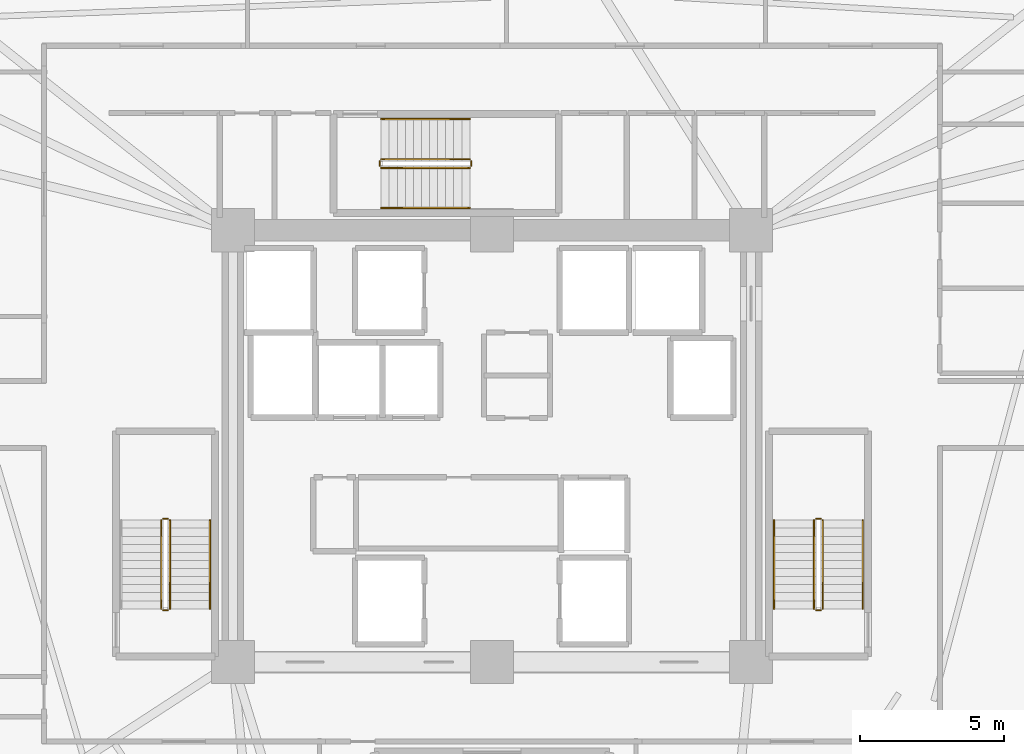
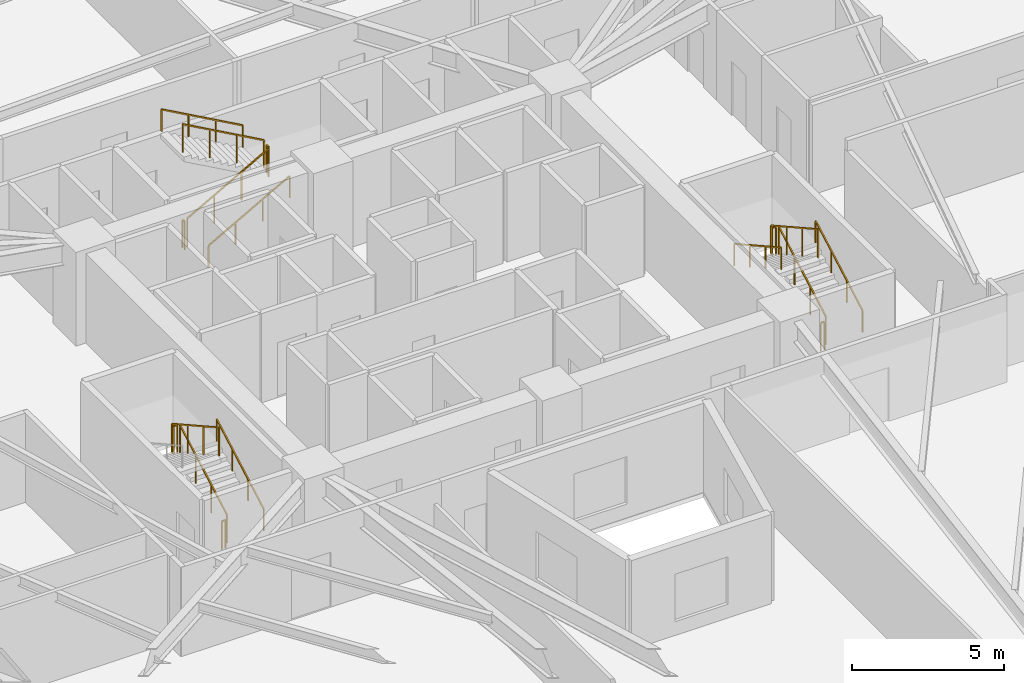
# One storey, part 10 of 10: 17 railings.
"""IFC4 building model written with IfcOpenShell, lengths in metres."""

from ifc_helpers import new_model, si_unit, direction, frame, origin, origin_2d, place, context, subcontext, project, spatial, rectangle, extrude, material, type_object, element, save


model = new_model("IFC4")

# Units and contexts
model_context = context("Model", 3, precision=1e-05, world=origin(), true_north=direction((0.0, 1.0)))
body_context = subcontext(model_context, "Body", "Model", "MODEL_VIEW")
ifc_project = project(units=[si_unit("LENGTHUNIT", "METRE"), si_unit("AREAUNIT", "SQUARE_METRE"), si_unit("VOLUMEUNIT", "CUBIC_METRE"), si_unit("PLANEANGLEUNIT", "RADIAN"), si_unit("MASSUNIT", "GRAM", prefix="KILO")], contexts=[model_context])

# Site, building, storey
site_placement = place(None, origin())
site = spatial("IfcSite", under=ifc_project, at=site_placement, CompositionType="ELEMENT")
building_placement = place(site_placement, origin())
building = spatial("IfcBuilding", under=site, at=building_placement, Name="Liaohun Quay Tower", CompositionType="ELEMENT")
storey_placement = place(building_placement, frame((0.0, 0.0, 124.5)))
storey = spatial("IfcBuildingStorey", under=building, at=storey_placement, Name="L32", CompositionType="ELEMENT", Elevation=124.5)

# Railings
ifc_material_1 = material(Name="Painted tubular steel", Category="steel")
railing_type_1 = type_object("IfcRailingType", Name="RLG-GUARD-STR", PredefinedType="GUARDRAIL", material=ifc_material_1)
railing_1_placement = place(storey_placement, frame((48.81005859375, 48.35009765625, 0.15625)))
element("IfcRailing", 1, at=railing_1_placement, inside=storey, type_object=railing_type_1, Name="L32 ST-1 stair guard 1", PredefinedType="GUARDRAIL", context=body_context, shape_type="SweptSolid", body=[
    extrude(rectangle(XDim=0.048095703125, YDim=0.048095703125, at=origin_2d()), frame((0.0, 0.0, 1.1259765625), z_axis=(0.0, 0.873225103656, 0.487317061414), x_axis=(-1.0, 0.0, 0.0)), (0.0, 0.0, 1.0), 3.52685546875),
    extrude(rectangle(XDim=0.0419921875, YDim=0.0419921875, at=origin_2d()), origin(), (0.0, 0.0, 1.0), 1.101806640625),
    extrude(rectangle(XDim=0.0419921875, YDim=0.0419921875, at=origin_2d()), frame((0.0, 1.026611328125, 0.572998046875)), (0.0, 0.0, 1.0), 1.101806640625),
    extrude(rectangle(XDim=0.0419921875, YDim=0.0419921875, at=origin_2d()), frame((0.0, 2.05322265625, 1.145751953125)), (0.0, 0.0, 1.0), 1.101806640625),
    extrude(rectangle(XDim=0.0419921875, YDim=0.0419921875, at=origin_2d()), frame((0.0, 3.079833984375, 1.71875)), (0.0, 0.0, 1.0), 1.101806640625),
])
railing_2_placement = place(storey_placement, frame((48.72998046875, 51.47998046875, 1.875)))
element("IfcRailing", 2, at=railing_2_placement, inside=storey, type_object=railing_type_1, Name="L32 ST-1 stair guard 2", PredefinedType="GUARDRAIL", context=body_context, shape_type="SweptSolid", body=[
    extrude(rectangle(XDim=0.048095703125, YDim=0.048095703125, at=origin_2d()), frame((0.0, 0.0, 1.1259765625), z_axis=(-1.0, 0.0, 0.0), x_axis=(0.0, -1.0, 0.0)), (0.0, 0.0, 1.0), 0.139892578125),
    extrude(rectangle(XDim=0.0419921875, YDim=0.0419921875, at=origin_2d()), origin(), (0.0, 0.0, 1.0), 1.101806640625),
    extrude(rectangle(XDim=0.0419921875, YDim=0.0419921875, at=origin_2d()), frame((-0.139892578125, 0.0, 0.0)), (0.0, 0.0, 1.0), 1.101806640625),
])
railing_3_placement = place(storey_placement, frame((48.510009765625, 51.429931640625, 2.03125)))
element("IfcRailing", 3, at=railing_3_placement, inside=storey, type_object=railing_type_1, Name="L32 ST-1 stair guard 3", PredefinedType="GUARDRAIL", context=body_context, shape_type="SweptSolid", body=[
    extrude(rectangle(XDim=0.048095703125, YDim=0.048095703125, at=origin_2d()), frame((0.0, 0.0, 1.1259765625), z_axis=(0.0, -0.873225103656, 0.487317061414), x_axis=(1.0, 0.0, 0.0)), (0.0, 0.0, 1.0), 3.52685546875),
    extrude(rectangle(XDim=0.0419921875, YDim=0.0419921875, at=origin_2d()), origin(), (0.0, 0.0, 1.0), 1.101806640625),
    extrude(rectangle(XDim=0.0419921875, YDim=0.0419921875, at=origin_2d()), frame((0.0, -1.026611328125, 0.572998046875)), (0.0, 0.0, 1.0), 1.101806640625),
    extrude(rectangle(XDim=0.0419921875, YDim=0.0419921875, at=origin_2d()), frame((0.0, -2.05322265625, 1.145751953125)), (0.0, 0.0, 1.0), 1.101806640625),
    extrude(rectangle(XDim=0.0419921875, YDim=0.0419921875, at=origin_2d()), frame((0.0, -3.079833984375, 1.71875)), (0.0, 0.0, 1.0), 1.101806640625),
])
railing_4_placement = place(storey_placement, frame((48.72998046875, 48.300048828125, 0.0)))
element("IfcRailing", 4, at=railing_4_placement, inside=storey, type_object=railing_type_1, Name="L32 ST-1 stair guard 4", PredefinedType="GUARDRAIL", context=body_context, shape_type="SweptSolid", body=[
    extrude(rectangle(XDim=0.048095703125, YDim=0.048095703125, at=origin_2d()), frame((0.0, 0.0, 1.1259765625), z_axis=(-1.0, 0.0, 0.0), x_axis=(0.0, -1.0, 0.0)), (0.0, 0.0, 1.0), 0.139892578125),
    extrude(rectangle(XDim=0.0419921875, YDim=0.0419921875, at=origin_2d()), origin(), (0.0, 0.0, 1.0), 1.101806640625),
    extrude(rectangle(XDim=0.0419921875, YDim=0.0419921875, at=origin_2d()), frame((-0.139892578125, 0.0, 0.0)), (0.0, 0.0, 1.0), 1.101806640625),
])
railing_5_placement = place(storey_placement, frame((71.489990234375, 48.35009765625, 0.15625)))
element("IfcRailing", 5, at=railing_5_placement, inside=storey, type_object=railing_type_1, Name="L32 ST-2 stair guard 1", PredefinedType="GUARDRAIL", context=body_context, shape_type="SweptSolid", body=[
    extrude(rectangle(XDim=0.048095703125, YDim=0.048095703125, at=origin_2d()), frame((0.0, 0.0, 1.1259765625), z_axis=(0.0, 0.873225103656, 0.487317061414), x_axis=(-1.0, 0.0, 0.0)), (0.0, 0.0, 1.0), 3.52685546875),
    extrude(rectangle(XDim=0.0419921875, YDim=0.0419921875, at=origin_2d()), origin(), (0.0, 0.0, 1.0), 1.101806640625),
    extrude(rectangle(XDim=0.0419921875, YDim=0.0419921875, at=origin_2d()), frame((0.0, 1.026611328125, 0.572998046875)), (0.0, 0.0, 1.0), 1.101806640625),
    extrude(rectangle(XDim=0.0419921875, YDim=0.0419921875, at=origin_2d()), frame((0.0, 2.05322265625, 1.145751953125)), (0.0, 0.0, 1.0), 1.101806640625),
    extrude(rectangle(XDim=0.0419921875, YDim=0.0419921875, at=origin_2d()), frame((0.0, 3.079833984375, 1.71875)), (0.0, 0.0, 1.0), 1.101806640625),
])
railing_6_placement = place(storey_placement, frame((71.409912109375, 51.47998046875, 1.875)))
element("IfcRailing", 6, at=railing_6_placement, inside=storey, type_object=railing_type_1, Name="L32 ST-2 stair guard 2", PredefinedType="GUARDRAIL", context=body_context, shape_type="SweptSolid", body=[
    extrude(rectangle(XDim=0.048095703125, YDim=0.048095703125, at=origin_2d()), frame((0.0, 0.0, 1.1259765625), z_axis=(-1.0, 0.0, 0.0), x_axis=(0.0, -1.0, 0.0)), (0.0, 0.0, 1.0), 0.139892578125),
    extrude(rectangle(XDim=0.0419921875, YDim=0.0419921875, at=origin_2d()), origin(), (0.0, 0.0, 1.0), 1.101806640625),
    extrude(rectangle(XDim=0.0419921875, YDim=0.0419921875, at=origin_2d()), frame((-0.139892578125, 0.0, 0.0)), (0.0, 0.0, 1.0), 1.101806640625),
])
railing_7_placement = place(storey_placement, frame((71.18994140625, 51.429931640625, 2.03125)))
element("IfcRailing", 7, at=railing_7_placement, inside=storey, type_object=railing_type_1, Name="L32 ST-2 stair guard 3", PredefinedType="GUARDRAIL", context=body_context, shape_type="SweptSolid", body=[
    extrude(rectangle(XDim=0.048095703125, YDim=0.048095703125, at=origin_2d()), frame((0.0, 0.0, 1.1259765625), z_axis=(0.0, -0.873225103656, 0.487317061414), x_axis=(1.0, 0.0, 0.0)), (0.0, 0.0, 1.0), 3.52685546875),
    extrude(rectangle(XDim=0.0419921875, YDim=0.0419921875, at=origin_2d()), origin(), (0.0, 0.0, 1.0), 1.101806640625),
    extrude(rectangle(XDim=0.0419921875, YDim=0.0419921875, at=origin_2d()), frame((0.0, -1.026611328125, 0.572998046875)), (0.0, 0.0, 1.0), 1.101806640625),
    extrude(rectangle(XDim=0.0419921875, YDim=0.0419921875, at=origin_2d()), frame((0.0, -2.05322265625, 1.145751953125)), (0.0, 0.0, 1.0), 1.101806640625),
    extrude(rectangle(XDim=0.0419921875, YDim=0.0419921875, at=origin_2d()), frame((0.0, -3.079833984375, 1.71875)), (0.0, 0.0, 1.0), 1.101806640625),
])
railing_8_placement = place(storey_placement, frame((71.409912109375, 48.300048828125, 0.0)))
element("IfcRailing", 8, at=railing_8_placement, inside=storey, type_object=railing_type_1, Name="L32 ST-2 stair guard 4", PredefinedType="GUARDRAIL", context=body_context, shape_type="SweptSolid", body=[
    extrude(rectangle(XDim=0.048095703125, YDim=0.048095703125, at=origin_2d()), frame((0.0, 0.0, 1.1259765625), z_axis=(-1.0, 0.0, 0.0), x_axis=(0.0, -1.0, 0.0)), (0.0, 0.0, 1.0), 0.139892578125),
    extrude(rectangle(XDim=0.0419921875, YDim=0.0419921875, at=origin_2d()), origin(), (0.0, 0.0, 1.0), 1.101806640625),
    extrude(rectangle(XDim=0.0419921875, YDim=0.0419921875, at=origin_2d()), frame((-0.139892578125, 0.0, 0.0)), (0.0, 0.0, 1.0), 1.101806640625),
])
railing_9_placement = place(storey_placement, frame((56.14990234375, 63.669921875, 0.15625)))
element("IfcRailing", 9, at=railing_9_placement, inside=storey, type_object=railing_type_1, Name="L32 ST-3 stair guard 1", PredefinedType="GUARDRAIL", context=body_context, shape_type="SweptSolid", body=[
    extrude(rectangle(XDim=0.048095703125, YDim=0.048095703125, at=origin_2d()), frame((0.0, 0.0, 1.1259765625), z_axis=(0.873241540666, 0.0, 0.487287606713), x_axis=(0.0, 1.0, 0.0)), (0.0, 0.0, 1.0), 3.527099609375),
    extrude(rectangle(XDim=0.0419921875, YDim=0.0419921875, at=origin_2d()), origin(), (0.0, 0.0, 1.0), 1.101806640625),
    extrude(rectangle(XDim=0.0419921875, YDim=0.0419921875, at=origin_2d()), frame((1.026611328125, 0.0, 0.572998046875)), (0.0, 0.0, 1.0), 1.101806640625),
    extrude(rectangle(XDim=0.0419921875, YDim=0.0419921875, at=origin_2d()), frame((2.053466796875, 0.0, 1.145751953125)), (0.0, 0.0, 1.0), 1.101806640625),
    extrude(rectangle(XDim=0.0419921875, YDim=0.0419921875, at=origin_2d()), frame((3.080078125, 0.0, 1.71875)), (0.0, 0.0, 1.0), 1.101806640625),
])
railing_10_placement = place(storey_placement, frame((59.280029296875, 63.75, 1.875)))
element("IfcRailing", 10, at=railing_10_placement, inside=storey, type_object=railing_type_1, Name="L32 ST-3 stair guard 2", PredefinedType="GUARDRAIL", context=body_context, shape_type="SweptSolid", body=[
    extrude(rectangle(XDim=0.048095703125, YDim=0.048095703125, at=origin_2d()), frame((0.0, 0.0, 1.1259765625), z_axis=(0.0, 1.0, 0.0), x_axis=(-1.0, 0.0, 0.0)), (0.0, 0.0, 1.0), 0.139892578125),
    extrude(rectangle(XDim=0.0419921875, YDim=0.0419921875, at=origin_2d()), origin(), (0.0, 0.0, 1.0), 1.101806640625),
    extrude(rectangle(XDim=0.0419921875, YDim=0.0419921875, at=origin_2d()), frame((0.0, 0.139892578125, 0.0)), (0.0, 0.0, 1.0), 1.101806640625),
])
railing_11_placement = place(storey_placement, frame((59.22998046875, 63.969970703125, 2.03125)))
element("IfcRailing", 11, at=railing_11_placement, inside=storey, type_object=railing_type_1, Name="L32 ST-3 stair guard 3", PredefinedType="GUARDRAIL", context=body_context, shape_type="SweptSolid", body=[
    extrude(rectangle(XDim=0.048095703125, YDim=0.048095703125, at=origin_2d()), frame((0.0, 0.0, 1.1259765625), z_axis=(-0.873241540666, 0.0, 0.487287606713), x_axis=(0.0, -1.0, 0.0)), (0.0, 0.0, 1.0), 3.527099609375),
    extrude(rectangle(XDim=0.0419921875, YDim=0.0419921875, at=origin_2d()), origin(), (0.0, 0.0, 1.0), 1.101806640625),
    extrude(rectangle(XDim=0.0419921875, YDim=0.0419921875, at=origin_2d()), frame((-1.026611328125, 0.0, 0.572998046875)), (0.0, 0.0, 1.0), 1.101806640625),
    extrude(rectangle(XDim=0.0419921875, YDim=0.0419921875, at=origin_2d()), frame((-2.053466796875, 0.0, 1.145751953125)), (0.0, 0.0, 1.0), 1.101806640625),
    extrude(rectangle(XDim=0.0419921875, YDim=0.0419921875, at=origin_2d()), frame((-3.080078125, 0.0, 1.71875)), (0.0, 0.0, 1.0), 1.101806640625),
])
railing_12_placement = place(storey_placement, frame((56.10009765625, 63.75, 0.0)))
element("IfcRailing", 12, at=railing_12_placement, inside=storey, type_object=railing_type_1, Name="L32 ST-3 stair guard 4", PredefinedType="GUARDRAIL", context=body_context, shape_type="SweptSolid", body=[
    extrude(rectangle(XDim=0.048095703125, YDim=0.048095703125, at=origin_2d()), frame((0.0, 0.0, 1.1259765625), z_axis=(0.0, 1.0, 0.0), x_axis=(-1.0, 0.0, 0.0)), (0.0, 0.0, 1.0), 0.139892578125),
    extrude(rectangle(XDim=0.0419921875, YDim=0.0419921875, at=origin_2d()), origin(), (0.0, 0.0, 1.0), 1.101806640625),
    extrude(rectangle(XDim=0.0419921875, YDim=0.0419921875, at=origin_2d()), frame((0.0, 0.139892578125, 0.0)), (0.0, 0.0, 1.0), 1.101806640625),
])
ifc_material_2 = material(Name="Brushed stainless steel", Category="steel")
railing_type_2 = type_object("IfcRailingType", Name="RLG-HND-STR", PredefinedType="HANDRAIL", material=ifc_material_2)
for number, where, name in (
    (13, (50.199951171875, 48.35009765625, 0.15625), "L32 ST-1 stair handrail 1"),
    (14, (72.8798828125, 48.35009765625, 0.15625), "L32 ST-2 stair handrail 1"),
):
    element("IfcRailing", number, at=place(storey_placement, frame(where)), inside=storey, type_object=railing_type_2, Name=name, PredefinedType="HANDRAIL", context=body_context, shape_type="SweptSolid", body=[
        extrude(rectangle(XDim=0.048095703125, YDim=0.048095703125, at=origin_2d()), frame((0.0, 0.0, 0.8759765625), z_axis=(0.0, 0.873225103656, 0.487317061414), x_axis=(-1.0, 0.0, 0.0)), (0.0, 0.0, 1.0), 3.52685546875),
        extrude(rectangle(XDim=0.0419921875, YDim=0.0419921875, at=origin_2d()), origin(), (0.0, 0.0, 1.0), 0.851806640625),
        extrude(rectangle(XDim=0.0419921875, YDim=0.0419921875, at=origin_2d()), frame((0.0, 1.026611328125, 0.572998046875)), (0.0, 0.0, 1.0), 0.851806640625),
        extrude(rectangle(XDim=0.0419921875, YDim=0.0419921875, at=origin_2d()), frame((0.0, 2.05322265625, 1.145751953125)), (0.0, 0.0, 1.0), 0.851806640625),
        extrude(rectangle(XDim=0.0419921875, YDim=0.0419921875, at=origin_2d()), frame((0.0, 3.079833984375, 1.71875)), (0.0, 0.0, 1.0), 0.851806640625),
    ])
railing_13_placement = place(storey_placement, frame((69.800048828125, 51.429931640625, 2.03125)))
element("IfcRailing", 15, at=railing_13_placement, inside=storey, type_object=railing_type_2, Name="L32 ST-2 stair handrail 2", PredefinedType="HANDRAIL", context=body_context, shape_type="SweptSolid", body=[
    extrude(rectangle(XDim=0.048095703125, YDim=0.048095703125, at=origin_2d()), frame((0.0, 0.0, 0.8759765625), z_axis=(0.0, -0.873225103656, 0.487317061414), x_axis=(1.0, 0.0, 0.0)), (0.0, 0.0, 1.0), 3.52685546875),
    extrude(rectangle(XDim=0.0419921875, YDim=0.0419921875, at=origin_2d()), origin(), (0.0, 0.0, 1.0), 0.851806640625),
    extrude(rectangle(XDim=0.0419921875, YDim=0.0419921875, at=origin_2d()), frame((0.0, -1.026611328125, 0.572998046875)), (0.0, 0.0, 1.0), 0.851806640625),
    extrude(rectangle(XDim=0.0419921875, YDim=0.0419921875, at=origin_2d()), frame((0.0, -2.05322265625, 1.145751953125)), (0.0, 0.0, 1.0), 0.851806640625),
    extrude(rectangle(XDim=0.0419921875, YDim=0.0419921875, at=origin_2d()), frame((0.0, -3.079833984375, 1.71875)), (0.0, 0.0, 1.0), 0.851806640625),
])
railing_14_placement = place(storey_placement, frame((56.14990234375, 62.280029296875, 0.15625)))
element("IfcRailing", 16, at=railing_14_placement, inside=storey, type_object=railing_type_2, Name="L32 ST-3 stair handrail 1", PredefinedType="HANDRAIL", context=body_context, shape_type="SweptSolid", body=[
    extrude(rectangle(XDim=0.048095703125, YDim=0.048095703125, at=origin_2d()), frame((0.0, 0.0, 0.8759765625), z_axis=(0.873241540666, 0.0, 0.487287606713), x_axis=(0.0, 1.0, 0.0)), (0.0, 0.0, 1.0), 3.527099609375),
    extrude(rectangle(XDim=0.0419921875, YDim=0.0419921875, at=origin_2d()), origin(), (0.0, 0.0, 1.0), 0.851806640625),
    extrude(rectangle(XDim=0.0419921875, YDim=0.0419921875, at=origin_2d()), frame((1.026611328125, 0.0, 0.572998046875)), (0.0, 0.0, 1.0), 0.851806640625),
    extrude(rectangle(XDim=0.0419921875, YDim=0.0419921875, at=origin_2d()), frame((2.053466796875, 0.0, 1.145751953125)), (0.0, 0.0, 1.0), 0.851806640625),
    extrude(rectangle(XDim=0.0419921875, YDim=0.0419921875, at=origin_2d()), frame((3.080078125, 0.0, 1.71875)), (0.0, 0.0, 1.0), 0.851806640625),
])
railing_15_placement = place(storey_placement, frame((59.22998046875, 65.360107421875, 2.03125)))
element("IfcRailing", 17, at=railing_15_placement, inside=storey, type_object=railing_type_2, Name="L32 ST-3 stair handrail 2", PredefinedType="HANDRAIL", context=body_context, shape_type="SweptSolid", body=[
    extrude(rectangle(XDim=0.048095703125, YDim=0.048095703125, at=origin_2d()), frame((0.0, 0.0, 0.8759765625), z_axis=(-0.873241540666, 0.0, 0.487287606713), x_axis=(0.0, -1.0, 0.0)), (0.0, 0.0, 1.0), 3.527099609375),
    extrude(rectangle(XDim=0.0419921875, YDim=0.0419921875, at=origin_2d()), origin(), (0.0, 0.0, 1.0), 0.851806640625),
    extrude(rectangle(XDim=0.0419921875, YDim=0.0419921875, at=origin_2d()), frame((-1.026611328125, 0.0, 0.572998046875)), (0.0, 0.0, 1.0), 0.851806640625),
    extrude(rectangle(XDim=0.0419921875, YDim=0.0419921875, at=origin_2d()), frame((-2.053466796875, 0.0, 1.145751953125)), (0.0, 0.0, 1.0), 0.851806640625),
    extrude(rectangle(XDim=0.0419921875, YDim=0.0419921875, at=origin_2d()), frame((-3.080078125, 0.0, 1.71875)), (0.0, 0.0, 1.0), 0.851806640625),
])

save(model, "model.ifc")
